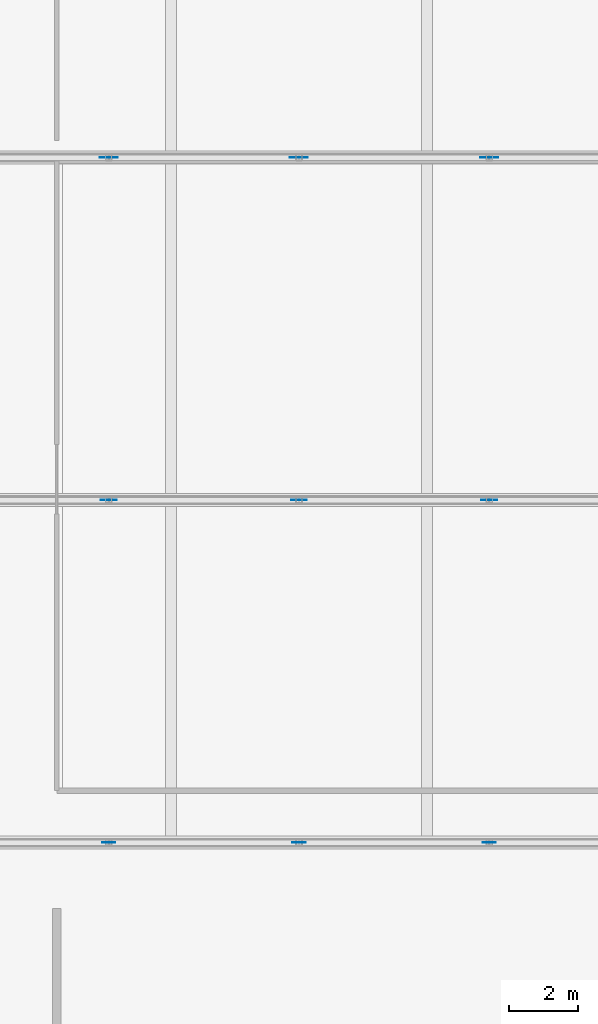
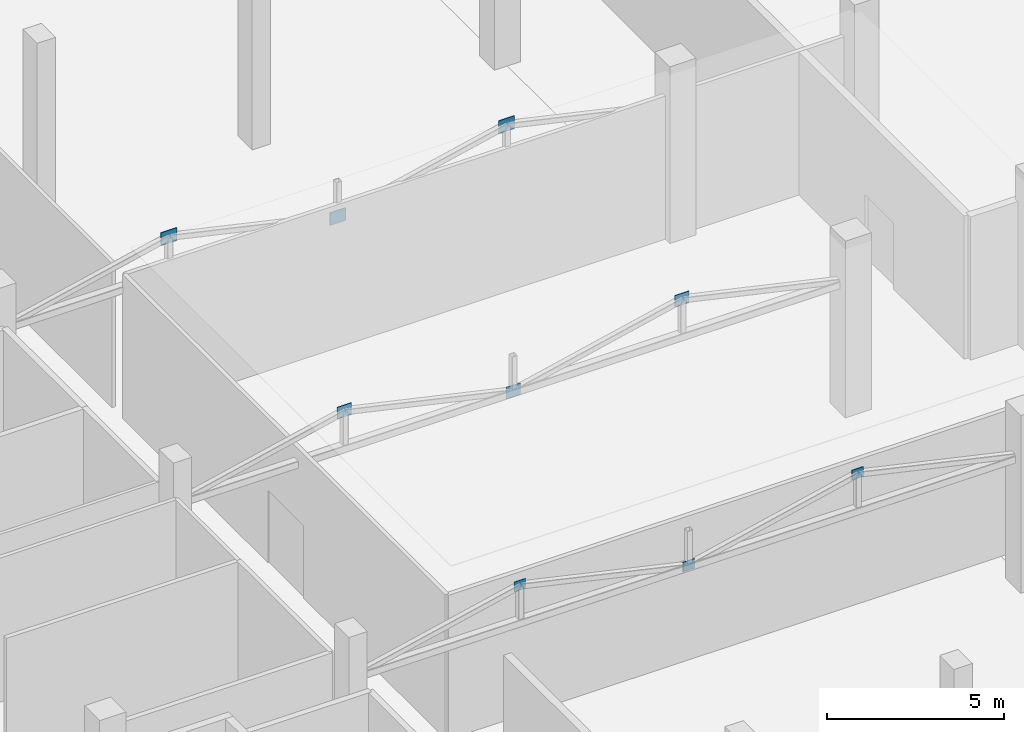
# One storey, part 37 of 58: 9 plates.
"""IFC4 building model written with IfcOpenShell, lengths in metres."""

from ifc_helpers import new_model, si_unit, direction, frame, origin, origin_2d, place, context, subcontext, project, spatial, rectangle, extrude, material, layer, layer_set, type_object, element, save


model = new_model("IFC4")

# Units and contexts
model_context = context("Model", 3, precision=1e-05, world=origin(), true_north=direction((0.0, 1.0)))
body_context = subcontext(model_context, "Body", "Model", "MODEL_VIEW")
ifc_project = project(units=[si_unit("LENGTHUNIT", "METRE"), si_unit("AREAUNIT", "SQUARE_METRE"), si_unit("VOLUMEUNIT", "CUBIC_METRE"), si_unit("PLANEANGLEUNIT", "RADIAN"), si_unit("MASSUNIT", "GRAM", prefix="KILO")], contexts=[model_context])

# Site, building, storey
site_placement = place(None, origin())
site = spatial("IfcSite", under=ifc_project, at=site_placement, CompositionType="ELEMENT")
building_placement = place(site_placement, origin())
building = spatial("IfcBuilding", under=site, at=building_placement, Name="Sillaruma Civic Art Gallery", CompositionType="ELEMENT")
storey_placement = place(building_placement, frame((0.0, 0.0, 22.43994140625)))
storey = spatial("IfcBuildingStorey", under=building, at=storey_placement, Name="L04", CompositionType="ELEMENT", Elevation=22.43994140625)

# Plates
ifc_material = material(Name="Structural Steel ASTM A992 Gr.50", Category="steel")
ifc_layer_1 = layer(ifc_material, 0.01611328125, Name="Structural Steel ASTM A992 Gr.50")
ifc_layer_set_1 = layer_set([ifc_layer_1], Name="Structural Steel ASTM A992 Gr.50")
plate_type_1 = type_object("IfcPlateType", Name="PLT-GUS-16", PredefinedType="SHEET", material=ifc_layer_set_1)
for number, where, z_axis, x_axis, name in (
    (1, (75.5, 49.5, 5.48388671875), (0.0, 0.0, 1.0), (1.0, 0.0, 0.0), "Truss Gusset Plate GP-05 (TR-L04-1-1)"),
    (2, (81.0, 49.5, 4.2451171875), (0.0, 0.0, 1.0), (1.0, 0.0, 0.0), "Truss Gusset Plate GP-05 (TR-L04-1-2)"),
    (3, (86.5, 49.5, 5.48388671875), (0.0, 0.0, 1.0), (1.0, 0.0, 0.0), "Truss Gusset Plate GP-05 (TR-L04-1-3)"),
):
    element("IfcPlate", number, at=place(storey_placement, frame(where, z_axis=z_axis, x_axis=x_axis)), inside=storey, type_object=plate_type_1, Name=name, PredefinedType="SHEET", context=body_context, shape_type="SweptSolid", body=[
        extrude(rectangle(XDim=0.3798828125, YDim=0.01611328125, at=origin_2d()), origin(), (0.0, 0.0, 1.0), 0.340087890625),
    ])
ifc_layer_2 = layer(ifc_material, 0.02001953125, Name="Structural Steel ASTM A992 Gr.50")
ifc_layer_set_2 = layer_set([ifc_layer_2], Name="Structural Steel ASTM A992 Gr.50")
plate_type_2 = type_object("IfcPlateType", Name="PLT-GUS-20", PredefinedType="SHEET", material=ifc_layer_set_2)
for number, where, z_axis, x_axis, name in (
    (4, (75.5, 59.39990234375, 5.4541015625), (0.0, 0.0, 1.0), (1.0, 0.0, 0.0), "Truss Gusset Plate GP-01 (TR-L04-2-1)"),
    (5, (81.0, 59.39990234375, 4.215087890625), (0.0, 0.0, 1.0), (1.0, 0.0, 0.0), "Truss Gusset Plate GP-01 (TR-L04-2-2)"),
    (6, (86.5, 59.39990234375, 5.4541015625), (0.0, 0.0, 1.0), (1.0, 0.0, 0.0), "Truss Gusset Plate GP-01 (TR-L04-2-3)"),
):
    element("IfcPlate", number, at=place(storey_placement, frame(where, z_axis=z_axis, x_axis=x_axis)), inside=storey, type_object=plate_type_2, Name=name, PredefinedType="SHEET", context=body_context, shape_type="SweptSolid", body=[
        extrude(rectangle(XDim=0.4599609375, YDim=0.02001953125, at=origin_2d()), origin(), (0.0, 0.0, 1.0), 0.39990234375),
    ])
ifc_layer_3 = layer(ifc_material, 0.02392578125, Name="Structural Steel ASTM A992 Gr.50")
ifc_layer_set_3 = layer_set([ifc_layer_3], Name="Structural Steel ASTM A992 Gr.50")
plate_type_3 = type_object("IfcPlateType", Name="PLT-GUS-24", PredefinedType="SHEET", material=ifc_layer_set_3)
for number, where, z_axis, x_axis, name in (
    (7, (75.5, 69.300048828125, 5.43408203125), (0.0, 0.0, 1.0), (1.0, 0.0, 0.0), "Truss Gusset Plate GP-02 (TR-L04-3-1)"),
    (8, (81.0, 69.300048828125, 4.195068359375), (0.0, 0.0, 1.0), (1.0, 0.0, 0.0), "Truss Gusset Plate GP-02 (TR-L04-3-2)"),
    (9, (86.5, 69.300048828125, 5.43408203125), (0.0, 0.0, 1.0), (1.0, 0.0, 0.0), "Truss Gusset Plate GP-02 (TR-L04-3-3)"),
):
    element("IfcPlate", number, at=place(storey_placement, frame(where, z_axis=z_axis, x_axis=x_axis)), inside=storey, type_object=plate_type_3, Name=name, PredefinedType="SHEET", context=body_context, shape_type="SweptSolid", body=[
        extrude(rectangle(XDim=0.52001953125, YDim=0.02392578125, at=origin_2d()), origin(), (0.0, 0.0, 1.0), 0.43994140625),
    ])

save(model, "model.ifc")
